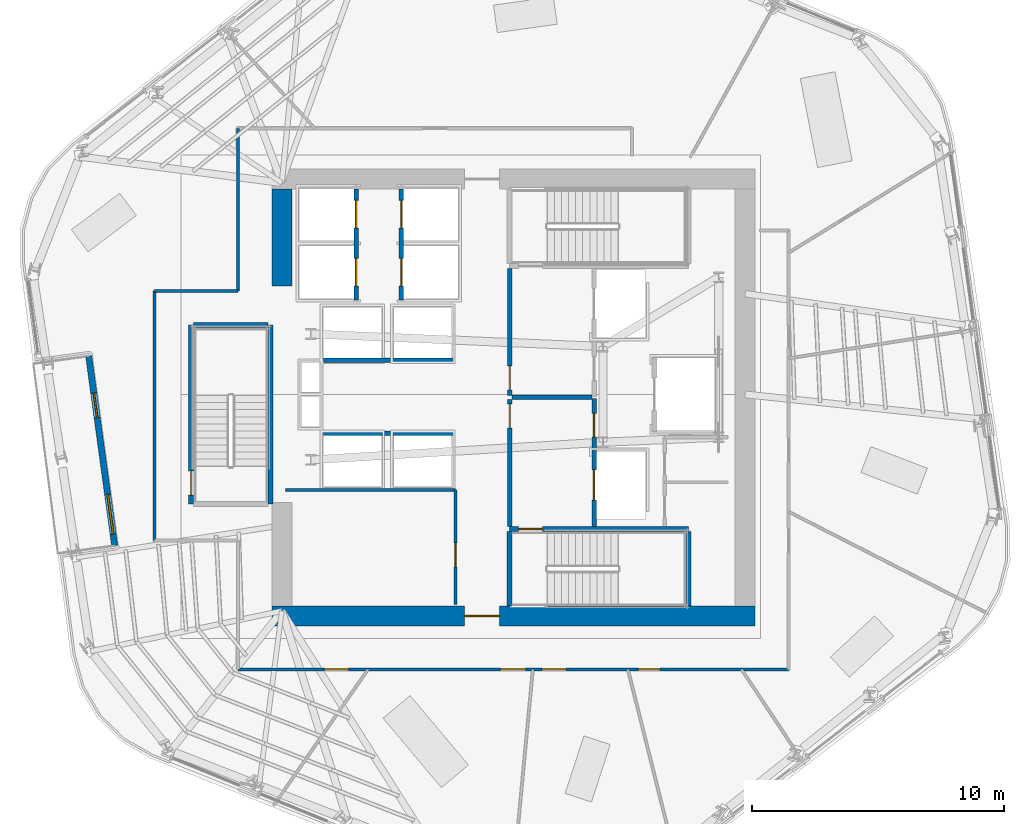
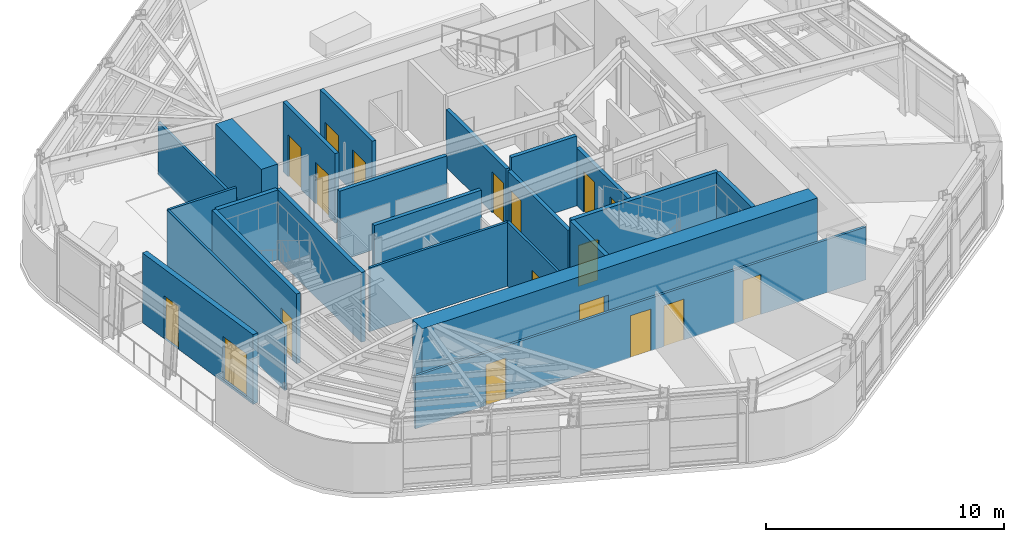
# One storey, part 8 of 15: 23 walls, 17 doors, 1 window, 18 openings.
"""IFC4 building model written with IfcOpenShell, lengths in metres."""

from ifc_helpers import new_model, si_unit, direction, frame, frame_2d, origin, place, context, subcontext, project, spatial, rectangle, extrude, material, layer, layer_set, type_object, element, fill, save


model = new_model("IFC4")

# Units and contexts
model_context = context("Model", 3, precision=1e-05, world=origin(), true_north=direction((0.0, 1.0)))
body_context = subcontext(model_context, "Body", "Model", "MODEL_VIEW")
ifc_project = project(units=[si_unit("LENGTHUNIT", "METRE"), si_unit("AREAUNIT", "SQUARE_METRE"), si_unit("VOLUMEUNIT", "CUBIC_METRE"), si_unit("PLANEANGLEUNIT", "RADIAN"), si_unit("MASSUNIT", "GRAM", prefix="KILO")], contexts=[model_context])

# Site, building, storey
site_placement = place(None, origin())
site = spatial("IfcSite", under=ifc_project, at=site_placement, CompositionType="ELEMENT")
building_placement = place(site_placement, origin())
building = spatial("IfcBuilding", under=site, at=building_placement, Name="Valkerne Bourse Tower", CompositionType="ELEMENT")
storey_placement = place(building_placement, frame((0.0, 0.0, 185.60009765625)))
storey = spatial("IfcBuildingStorey", under=building, at=storey_placement, Name="L47", CompositionType="ELEMENT", Elevation=185.60009765625)

# Wall, opening, door
ifc_material_1 = material(Name="Concrete C55/67", Category="concrete")
ifc_layer_1 = layer(ifc_material_1, 0.800048828125)
ifc_layer_set_1 = layer_set([ifc_layer_1], Name="Concrete C55/67")
wall_type_1 = type_object("IfcWallType", Name="W-CORE-800", PredefinedType="SHEAR", material=ifc_layer_set_1)
wall_1_placement = place(storey_placement, frame((37.199951171875, 18.199951171875, 0.0), z_axis=(0.0, 0.0, 1.0), x_axis=(1.0, 0.0, 0.0)))
wall_1 = element("IfcWall", 1, at=wall_1_placement, inside=storey, type_object=wall_type_1, Name="L47 Core Shear Wall SOUTH", PredefinedType="SHEAR", context=body_context, shape_type="SweptSolid", body=[
    extrude(rectangle(XDim=19.199951171875, YDim=0.800048828125, at=frame_2d((9.60009765625, 0.0))), origin(), (0.0, 0.0, 1.0), 3.579833984375),
])
opening_1_placement = place(wall_1_placement, frame((7.64990234375, 0.0, 0.0)))
opening_1 = element("IfcOpeningElement", 2, at=opening_1_placement, cuts=wall_1, Name="Opening D-PL-1400", PredefinedType="OPENING", context=body_context, shape_type="SweptSolid", body=[
    extrude(rectangle(XDim=1.39990234375, YDim=2.14990234375, at=frame_2d((0.699951171875, 1.074951171875))), frame((0.0, 0.409912109375, 0.0), z_axis=(0.0, -1.0, 0.0), x_axis=(1.0, 0.0, 0.0)), (0.0, 0.0, 1.0), 0.820068359375),
])
ifc_material_2 = material(Name="Galvanised Painted Steel", Category="steel")
door_type_1 = type_object("IfcDoorType", Name="DR-PLT-1400", OperationType="DOUBLE_DOOR_SINGLE_SWING", PredefinedType="DOOR", material=ifc_material_2)
door_1_placement = place(opening_1_placement, origin())
door_1 = element("IfcDoor", 3, at=door_1_placement, inside=storey, type_object=door_type_1, Name="L47 South Passenger Lift Hall Fire Door", OperationType="DOUBLE_DOOR_SINGLE_SWING", OverallHeight=2.14990234375, OverallWidth=1.39990234375, PredefinedType="DOOR", context=body_context, shape_type="SweptSolid", body=[
    extrude(rectangle(XDim=1.39990234375, YDim=2.14990234375, at=frame_2d((0.699951171875, 1.074951171875))), frame((0.0, 0.02490234375, 0.0), z_axis=(0.0, -1.0, 0.0), x_axis=(1.0, 0.0, 0.0)), (0.0, 0.0, 1.0), 0.050048828125),
])
fill(opening_1, door_1)

# Wall
wall_2_placement = place(storey_placement, frame((37.60009765625, 31.300048828125, 0.0), z_axis=(0.0, 0.0, 1.0), x_axis=(0.0, 1.0, 0.0)))
element("IfcWall", 4, at=wall_2_placement, inside=storey, type_object=wall_type_1, Name="L47 Core Shear Wall WEST-N", PredefinedType="SHEAR", context=body_context, shape_type="SweptSolid", body=[
    extrude(rectangle(XDim=3.849853515625, YDim=0.800048828125, at=frame_2d((1.9248046875, 0.0))), origin(), (0.0, 0.0, 1.0), 3.579833984375),
])

# Wall, opening, door
ifc_material_3 = material(Name="Gypsum Board Steel-Stud Partition", Category="steel")
ifc_layer_2 = layer(ifc_material_3, 0.117919921875)
ifc_layer_set_2 = layer_set([ifc_layer_2], Name="Gypsum Board Steel-Stud Partition")
wall_type_2 = type_object("IfcWallType", Name="W-CORR-140", PredefinedType="PARTITIONING", material=ifc_layer_set_2)
wall_3_placement = place(storey_placement, frame((44.5, 18.64990234375, 0.0), z_axis=(0.0, 0.0, 1.0), x_axis=(0.0, 1.0, 0.0)))
wall_3 = element("IfcWall", 5, at=wall_3_placement, inside=storey, type_object=wall_type_2, Name="L47 LV7 Low-Bank East Wall", PredefinedType="PARTITIONING", context=body_context, shape_type="SweptSolid", body=[
    extrude(rectangle(XDim=4.550048828125, YDim=0.117919921875, at=frame_2d((2.27490234375, 0.0))), origin(), (0.0, 0.0, 1.0), 3.27978515625),
])
opening_2_placement = place(wall_3_placement, frame((1.5, 0.0, 0.0)))
opening_2 = element("IfcOpeningElement", 6, at=opening_2_placement, cuts=wall_3, Name="Opening D-SV-950", PredefinedType="OPENING", context=body_context, shape_type="SweptSolid", body=[
    extrude(rectangle(XDim=0.949951171875, YDim=2.050048828125, at=frame_2d((0.47509765625, 1.02490234375))), frame((0.0, 0.06884765625, 0.0), z_axis=(0.0, -1.0, 0.0), x_axis=(1.0, 0.0, 0.0)), (0.0, 0.0, 1.0), 0.137939453125),
])
door_type_2 = type_object("IfcDoorType", Name="DR-SRV-950", OperationType="NOTDEFINED", PredefinedType="DOOR", material=ifc_material_2)
door_2_placement = place(opening_2_placement, origin())
door_2 = element("IfcDoor", 7, at=door_2_placement, inside=storey, type_object=door_type_2, Name="L47 Algorithmic Matching Office Door", OperationType="SINGLE_SWING_RIGHT", OverallHeight=2.050048828125, OverallWidth=0.949951171875, PredefinedType="DOOR", context=body_context, shape_type="SweptSolid", body=[
    extrude(rectangle(XDim=0.949951171875, YDim=2.050048828125, at=frame_2d((0.47509765625, 1.02490234375))), frame((0.0, 0.02490234375, 0.0), z_axis=(0.0, -1.0, 0.0), x_axis=(1.0, 0.0, 0.0)), (0.0, 0.0, 1.0), 0.050048828125),
])
fill(opening_2, door_2)

# Walls
wall_4_placement = place(storey_placement, frame((37.75, 23.199951171875, 0.0), z_axis=(0.0, 0.0, 1.0), x_axis=(1.0, 0.0, 0.0)))
element("IfcWall", 8, at=wall_4_placement, inside=storey, type_object=wall_type_2, Name="L47 LV7 Low-Bank North Wall", PredefinedType="PARTITIONING", context=body_context, shape_type="SweptSolid", body=[
    extrude(rectangle(XDim=6.75, YDim=0.117919921875, at=frame_2d((3.375, 0.0))), origin(), (0.0, 0.0, 1.0), 3.27978515625),
])
wall_5_placement = place(storey_placement, frame((32.550048828125, 21.199951171875, 0.0), z_axis=(0.0, 0.0, 1.0), x_axis=(0.0, 1.0, 0.0)))
element("IfcWall", 9, at=wall_5_placement, inside=storey, type_object=wall_type_2, Name="L47 Corridor Enclosure Wall", PredefinedType="PARTITIONING", context=body_context, shape_type="SweptSolid", body=[
    extrude(rectangle(XDim=9.900146484375, YDim=0.117919921875, at=frame_2d((4.9501953125, 0.0))), origin(), (0.0, 0.0, 1.0), 3.27978515625),
])
wall_6_placement = place(storey_placement, frame((32.550048828125, 31.10009765625, 0.0), z_axis=(0.0, 0.0, 1.0), x_axis=(1.0, 0.0, 0.0)))
element("IfcWall", 10, at=wall_6_placement, inside=storey, type_object=wall_type_2, Name="L47 Corridor Enclosure Wall", PredefinedType="PARTITIONING", context=body_context, shape_type="SweptSolid", body=[
    extrude(rectangle(XDim=3.300048828125, YDim=0.117919921875, at=frame_2d((1.64990234375, 0.0))), origin(), (0.0, 0.0, 1.0), 3.27978515625),
])
wall_7_placement = place(storey_placement, frame((35.85009765625, 31.10009765625, 0.0), z_axis=(0.0, 0.0, 1.0), x_axis=(0.0, 1.0, 0.0)))
element("IfcWall", 11, at=wall_7_placement, inside=storey, type_object=wall_type_2, Name="L47 Corridor Enclosure Wall", PredefinedType="PARTITIONING", context=body_context, shape_type="SweptSolid", body=[
    extrude(rectangle(XDim=6.4599609375, YDim=0.117919921875, at=frame_2d((3.22998046875, 0.0))), origin(), (0.0, 0.0, 1.0), 2.71142578125),
])

# Wall, openings, doors
wall_8_placement = place(storey_placement, frame((57.719970703125, 16.080078125, 0.0), z_axis=(0.0, 0.0, 1.0), x_axis=(-1.0, 0.0, 0.0)))
wall_8 = element("IfcWall", 12, at=wall_8_placement, inside=storey, type_object=wall_type_2, Name="L47 Corridor Enclosure Wall", PredefinedType="PARTITIONING", context=body_context, shape_type="SweptSolid", body=[
    extrude(rectangle(XDim=21.869873046875, YDim=0.117919921875, at=frame_2d((10.93505859375, 0.0))), origin(), (0.0, 0.0, 1.0), 2.71142578125),
])
opening_3_placement = place(wall_8_placement, frame((5.10498046875, 0.0, 0.0)))
opening_3 = element("IfcOpeningElement", 13, at=opening_3_placement, cuts=wall_8, Name="Opening D-WC-900", PredefinedType="OPENING", context=body_context, shape_type="SweptSolid", body=[
    extrude(rectangle(XDim=0.860107421875, YDim=2.050048828125, at=frame_2d((0.43017578125, 1.02490234375))), frame((0.0, 0.06884765625, 0.0), z_axis=(0.0, -1.0, 0.0), x_axis=(1.0, 0.0, 0.0)), (0.0, 0.0, 1.0), 0.137939453125),
])
opening_4_placement = place(wall_8_placement, frame((8.840087890625, 0.0, 0.0)))
opening_4 = element("IfcOpeningElement", 14, at=opening_4_placement, cuts=wall_8, Name="Opening D-OF-950", PredefinedType="OPENING", context=body_context, shape_type="SweptSolid", body=[
    extrude(rectangle(XDim=0.949951171875, YDim=2.10009765625, at=frame_2d((0.47509765625, 1.050048828125))), frame((0.0, 0.06884765625, 0.0), z_axis=(0.0, -1.0, 0.0), x_axis=(1.0, 0.0, 0.0)), (0.0, 0.0, 1.0), 0.137939453125),
])
opening_5_placement = place(wall_8_placement, frame((10.43505859375, 0.0, 0.0)))
opening_5 = element("IfcOpeningElement", 15, at=opening_5_placement, cuts=wall_8, Name="Opening D-MG-1000", PredefinedType="OPENING", context=body_context, shape_type="SweptSolid", body=[
    extrude(rectangle(XDim=1.0, YDim=2.14990234375, at=frame_2d((0.5, 1.074951171875))), frame((0.0, 0.06884765625, 0.0), z_axis=(0.0, -1.0, 0.0), x_axis=(1.0, 0.0, 0.0)), (0.0, 0.0, 1.0), 0.137939453125),
])
opening_6_placement = place(wall_8_placement, frame((17.47998046875, 0.0, 0.0)))
opening_6 = element("IfcOpeningElement", 16, at=opening_6_placement, cuts=wall_8, Name="Opening D-OF-950", PredefinedType="OPENING", context=body_context, shape_type="SweptSolid", body=[
    extrude(rectangle(XDim=0.949951171875, YDim=2.10009765625, at=frame_2d((0.47509765625, 1.050048828125))), frame((0.0, 0.06884765625, 0.0), z_axis=(0.0, -1.0, 0.0), x_axis=(1.0, 0.0, 0.0)), (0.0, 0.0, 1.0), 0.137939453125),
])
ifc_material_4 = material(Name="Laminated Tempered Safety Glass", Category="glass")
door_type_3 = type_object("IfcDoorType", Name="DR-MTG-1000", OperationType="NOTDEFINED", PredefinedType="DOOR", material=ifc_material_4)
door_3_placement = place(opening_5_placement, origin())
door_3 = element("IfcDoor", 17, at=door_3_placement, inside=storey, type_object=door_type_3, Name="L47 L47 Client Strategy Conference Room 6 Door", OperationType="SINGLE_SWING_LEFT", OverallHeight=2.14990234375, OverallWidth=1.0, PredefinedType="DOOR", context=body_context, shape_type="SweptSolid", body=[
    extrude(rectangle(XDim=1.0, YDim=2.14990234375, at=frame_2d((0.5, 1.074951171875))), frame((0.0, 0.02490234375, 0.0), z_axis=(0.0, -1.0, 0.0), x_axis=(1.0, 0.0, 0.0)), (0.0, 0.0, 1.0), 0.050048828125),
])
fill(opening_5, door_3)
ifc_material_5 = material(Name="Architectural White Oak Timber", Category="wood")
door_type_4 = type_object("IfcDoorType", Name="DR-OFF-950", OperationType="NOTDEFINED", PredefinedType="DOOR", material=ifc_material_5)
door_4_placement = place(opening_4_placement, origin())
door_4 = element("IfcDoor", 18, at=door_4_placement, inside=storey, type_object=door_type_4, Name="L47 L47 Executive Advisory Suite Office 4 Door", OperationType="SINGLE_SWING_LEFT", OverallHeight=2.10009765625, OverallWidth=0.949951171875, PredefinedType="DOOR", context=body_context, shape_type="SweptSolid", body=[
    extrude(rectangle(XDim=0.949951171875, YDim=2.10009765625, at=frame_2d((0.47509765625, 1.050048828125))), frame((0.0, 0.02490234375, 0.0), z_axis=(0.0, -1.0, 0.0), x_axis=(1.0, 0.0, 0.0)), (0.0, 0.0, 1.0), 0.050048828125),
])
fill(opening_4, door_4)
door_5_placement = place(opening_6_placement, origin())
door_5 = element("IfcDoor", 19, at=door_5_placement, inside=storey, type_object=door_type_4, Name="L47 L47 Commodities Market Showroom 9 Door", OperationType="SINGLE_SWING_LEFT", OverallHeight=2.10009765625, OverallWidth=0.949951171875, PredefinedType="DOOR", context=body_context, shape_type="SweptSolid", body=[
    extrude(rectangle(XDim=0.949951171875, YDim=2.10009765625, at=frame_2d((0.47509765625, 1.050048828125))), frame((0.0, 0.02490234375, 0.0), z_axis=(0.0, -1.0, 0.0), x_axis=(1.0, 0.0, 0.0)), (0.0, 0.0, 1.0), 0.050048828125),
])
fill(opening_6, door_5)
door_type_5 = type_object("IfcDoorType", Name="DR-WC-900", OperationType="NOTDEFINED", PredefinedType="DOOR", material=ifc_material_5)
door_6_placement = place(opening_3_placement, origin())
door_6 = element("IfcDoor", 20, at=door_6_placement, inside=storey, type_object=door_type_5, Name="L47 L47 Men Bathroom WC 1 Door", OperationType="SINGLE_SWING_RIGHT", OverallHeight=2.050048828125, OverallWidth=0.860107421875, PredefinedType="DOOR", context=body_context, shape_type="SweptSolid", body=[
    extrude(rectangle(XDim=0.860107421875, YDim=2.050048828125, at=frame_2d((0.43017578125, 1.02490234375))), frame((0.0, 0.02490234375, 0.0), z_axis=(0.0, -1.0, 0.0), x_axis=(1.0, 0.0, 0.0)), (0.0, 0.0, 1.0), 0.050048828125),
])
fill(opening_3, door_6)

# Wall, openings, door, window
ifc_material_6 = material(Name="Bronze Anodised Aluminium AA 6063-T6", Category="aluminium")
ifc_layer_3 = layer(ifc_material_6, 0.25)
ifc_layer_set_3 = layer_set([ifc_layer_3], Name="Bronze Anodised Aluminium AA 6063-T6")
wall_type_3 = type_object("IfcWallType", Name="W-EXT-TER-250", PredefinedType="STANDARD", material=ifc_layer_set_3)
wall_9_placement = place(storey_placement, frame((29.930908203125, 28.524658203125, 0.0), z_axis=(0.0, 0.0, 1.0), x_axis=(0.135725300593, -0.990746507831, 0.0)))
wall_9 = element("IfcWall", 21, at=wall_9_placement, inside=storey, type_object=wall_type_3, Name="L47 V-Notch Terrace Glazed Access Wall", PredefinedType="STANDARD", context=body_context, shape_type="SweptSolid", body=[
    extrude(rectangle(XDim=7.599853515625, YDim=0.25, at=frame_2d((3.7998046875, 0.0))), origin(), (0.0, 0.0, 1.0), 3.579833984375),
])
opening_7_placement = place(wall_9_placement, frame((1.47998046875, 0.0, 0.0)))
opening_7 = element("IfcOpeningElement", 22, at=opening_7_placement, cuts=wall_9, Name="Opening DT-1000", PredefinedType="OPENING", context=body_context, shape_type="SweptSolid", body=[
    extrude(rectangle(XDim=1.0, YDim=2.199951171875, at=frame_2d((0.5, 1.10009765625))), frame((0.0, 0.135009765625, 0.0), z_axis=(0.0, -1.0, 0.0), x_axis=(1.0, 0.0, 0.0)), (0.0, 0.0, 1.0), 0.27001953125),
])
opening_8_placement = place(wall_9_placement, frame((5.550048828125, 0.0, 0.14990234375)))
opening_8 = element("IfcOpeningElement", 23, at=opening_8_placement, cuts=wall_9, Name="Opening WN-04", PredefinedType="OPENING", context=body_context, shape_type="SweptSolid", body=[
    extrude(rectangle(XDim=1.60009765625, YDim=2.199951171875, at=frame_2d((0.800048828125, 1.10009765625))), frame((0.0, 0.135009765625, 0.0), z_axis=(0.0, -1.0, 0.0), x_axis=(1.0, 0.0, 0.0)), (0.0, 0.0, 1.0), 0.27001953125),
])
ifc_material_7 = material(Name="Glass IGU Low-E Double Glazed", Category="glass")
door_type_6 = type_object("IfcDoorType", Name="DR-EXT-TER-1000", OperationType="NOTDEFINED", PredefinedType="DOOR", material=ifc_material_7)
door_7_placement = place(opening_7_placement, origin())
door_7 = element("IfcDoor", 24, at=door_7_placement, inside=storey, type_object=door_type_6, Name="L47 V-Notch Outdoor Terrace Access Door", OperationType="SINGLE_SWING_RIGHT", OverallHeight=2.199951171875, OverallWidth=1.0, PredefinedType="DOOR", context=body_context, shape_type="SweptSolid", body=[
    extrude(rectangle(XDim=1.0, YDim=2.199951171875, at=frame_2d((0.5, 1.10009765625))), frame((0.0, 0.02490234375, 0.0), z_axis=(0.0, -1.0, 0.0), x_axis=(1.0, 0.0, 0.0)), (0.0, 0.0, 1.0), 0.050048828125),
])
fill(opening_7, door_7)
window_type = type_object("IfcWindowType", Name="WIN-TER-1600X2200", PartitioningType="SINGLE_PANEL", PredefinedType="WINDOW", material=ifc_material_7)
window_placement = place(opening_8_placement, origin())
window = element("IfcWindow", 25, at=window_placement, inside=storey, type_object=window_type, Name="L47 V-Notch Terrace Sidelight Window", OverallHeight=2.199951171875, OverallWidth=1.60009765625, PartitioningType="SINGLE_PANEL", PredefinedType="WINDOW", context=body_context, shape_type="SweptSolid", body=[
    extrude(rectangle(XDim=1.60009765625, YDim=2.199951171875, at=frame_2d((0.800048828125, 1.10009765625))), frame((0.0, 0.030029296875, 0.0), z_axis=(0.0, -1.0, 0.0), x_axis=(1.0, 0.0, 0.0)), (0.0, 0.0, 1.0), 0.06005859375),
])
fill(opening_8, window)

# Wall
ifc_material_8 = material(Name="Gypsum Fire-Rated Shaftwall", Category="gypsum")
ifc_layer_4 = layer(ifc_material_8, 0.179931640625)
ifc_layer_set_4 = layer_set([ifc_layer_4], Name="Gypsum Fire-Rated Shaftwall")
wall_type_4 = type_object("IfcWallType", Name="W-FSAE-180", PredefinedType="PARTITIONING", material=ifc_layer_set_4)
wall_10_placement = place(storey_placement, frame((46.739990234375, 26.8798828125, 0.0), z_axis=(0.0, 0.0, 1.0), x_axis=(1.0, 0.0, 0.0)))
element("IfcWall", 26, at=wall_10_placement, inside=storey, type_object=wall_type_4, Name="L47 FSAE-1/2 Lobby Dividing Fire Wall", PredefinedType="PARTITIONING", context=body_context, shape_type="SweptSolid", body=[
    extrude(rectangle(XDim=3.169921875, YDim=0.179931640625, at=frame_2d((1.5849609375, 0.0))), origin(), (0.0, 0.0, 1.0), 3.579833984375),
])

# Wall, opening, door
wall_11_placement = place(storey_placement, frame((46.64990234375, 21.75, 0.0), z_axis=(0.0, 0.0, 1.0), x_axis=(0.0, 1.0, 0.0)))
wall_11 = element("IfcWall", 27, at=wall_11_placement, inside=storey, type_object=wall_type_4, Name="L47 FSAE-1 Lobby West Fire Wall", PredefinedType="PARTITIONING", context=body_context, shape_type="SweptSolid", body=[
    extrude(rectangle(XDim=5.050048828125, YDim=0.179931640625, at=frame_2d((2.52490234375, 0.0))), origin(), (0.0, 0.0, 1.0), 2.9580078125),
])
opening_9_placement = place(wall_11_placement, frame((3.919921875, 0.0, 0.0)))
opening_9 = element("IfcOpeningElement", 28, at=opening_9_placement, cuts=wall_11, Name="Opening D-FS-950", PredefinedType="OPENING", context=body_context, shape_type="SweptSolid", body=[
    extrude(rectangle(XDim=0.949951171875, YDim=2.10009765625, at=frame_2d((0.47509765625, 1.050048828125))), frame((0.0, 0.099853515625, 0.0), z_axis=(0.0, -1.0, 0.0), x_axis=(1.0, 0.0, 0.0)), (0.0, 0.0, 1.0), 0.199951171875),
])
door_type_7 = type_object("IfcDoorType", Name="DR-FSAE-950", OperationType="NOTDEFINED", PredefinedType="DOOR", material=ifc_material_2)
door_8_placement = place(opening_9_placement, origin())
door_8 = element("IfcDoor", 29, at=door_8_placement, inside=storey, type_object=door_type_7, Name="L47 FSAE-1 Hall Link Fire Door", OperationType="SINGLE_SWING_LEFT", OverallHeight=2.10009765625, OverallWidth=0.949951171875, PredefinedType="DOOR", context=body_context, shape_type="SweptSolid", body=[
    extrude(rectangle(XDim=0.949951171875, YDim=2.10009765625, at=frame_2d((0.47509765625, 1.050048828125))), frame((0.0, 0.02490234375, 0.0), z_axis=(0.0, -1.0, 0.0), x_axis=(1.0, 0.0, 0.0)), (0.0, 0.0, 1.0), 0.050048828125),
])
fill(opening_9, door_8)

wall_12_placement = place(storey_placement, frame((46.64990234375, 26.9599609375, 0.0), z_axis=(0.0, 0.0, 1.0), x_axis=(0.0, 1.0, 0.0)))
wall_12 = element("IfcWall", 30, at=wall_12_placement, inside=storey, type_object=wall_type_4, Name="L47 FSAE-2 Lobby West Fire Wall", PredefinedType="PARTITIONING", context=body_context, shape_type="SweptSolid", body=[
    extrude(rectangle(XDim=5.0400390625, YDim=0.179931640625, at=frame_2d((2.52001953125, 0.0))), origin(), (0.0, 0.0, 1.0), 2.9580078125),
])
opening_10_placement = place(wall_12_placement, frame((0.219970703125, 0.0, 0.0)))
opening_10 = element("IfcOpeningElement", 31, at=opening_10_placement, cuts=wall_12, Name="Opening D-FS-950", PredefinedType="OPENING", context=body_context, shape_type="SweptSolid", body=[
    extrude(rectangle(XDim=0.949951171875, YDim=2.10009765625, at=frame_2d((0.47509765625, 1.050048828125))), frame((0.0, 0.099853515625, 0.0), z_axis=(0.0, -1.0, 0.0), x_axis=(1.0, 0.0, 0.0)), (0.0, 0.0, 1.0), 0.199951171875),
])
door_9_placement = place(opening_10_placement, origin())
door_9 = element("IfcDoor", 32, at=door_9_placement, inside=storey, type_object=door_type_7, Name="L47 FSAE-2 Hall Link Fire Door", OperationType="SINGLE_SWING_RIGHT", OverallHeight=2.10009765625, OverallWidth=0.949951171875, PredefinedType="DOOR", context=body_context, shape_type="SweptSolid", body=[
    extrude(rectangle(XDim=0.949951171875, YDim=2.10009765625, at=frame_2d((0.47509765625, 1.050048828125))), frame((0.0, 0.02490234375, 0.0), z_axis=(0.0, -1.0, 0.0), x_axis=(1.0, 0.0, 0.0)), (0.0, 0.0, 1.0), 0.050048828125),
])
fill(opening_10, door_9)

# Wall, openings, doors
wall_13_placement = place(storey_placement, frame((50.0, 21.75, 0.0), z_axis=(0.0, 0.0, 1.0), x_axis=(0.0, 1.0, 0.0)))
wall_13 = element("IfcWall", 33, at=wall_13_placement, inside=storey, type_object=wall_type_4, Name="L47 FSAE-1 Lobby & Shaft Front Wall", PredefinedType="PARTITIONING", context=body_context, shape_type="SweptSolid", body=[
    extrude(rectangle(XDim=5.090087890625, YDim=0.179931640625, at=frame_2d((2.544921875, 0.0))), origin(), (0.0, 0.0, 1.0), 2.9580078125),
])
opening_11_placement = place(wall_13_placement, frame((1.050048828125, 0.0, 0.0)))
opening_11 = element("IfcOpeningElement", 34, at=opening_11_placement, cuts=wall_13, Name="Opening LD-1200", PredefinedType="OPENING", context=body_context, shape_type="SweptSolid", body=[
    extrude(rectangle(XDim=1.199951171875, YDim=2.14990234375, at=frame_2d((0.60009765625, 1.074951171875))), frame((0.0, 0.099853515625, 0.0), z_axis=(0.0, -1.0, 0.0), x_axis=(1.0, 0.0, 0.0)), (0.0, 0.0, 1.0), 0.199951171875),
])
opening_12_placement = place(wall_13_placement, frame((3.550048828125, 0.0, 0.0)))
opening_12 = element("IfcOpeningElement", 35, at=opening_12_placement, cuts=wall_13, Name="Opening D-FS-950", PredefinedType="OPENING", context=body_context, shape_type="SweptSolid", body=[
    extrude(rectangle(XDim=0.949951171875, YDim=2.10009765625, at=frame_2d((0.47509765625, 1.050048828125))), frame((0.0, 0.099853515625, 0.0), z_axis=(0.0, -1.0, 0.0), x_axis=(1.0, 0.0, 0.0)), (0.0, 0.0, 1.0), 0.199951171875),
])
door_10_placement = place(opening_12_placement, origin())
door_10 = element("IfcDoor", 36, at=door_10_placement, inside=storey, type_object=door_type_7, Name="L47 FSAE-1 Lobby Corridor Fire Door", OperationType="SINGLE_SWING_RIGHT", OverallHeight=2.10009765625, OverallWidth=0.949951171875, PredefinedType="DOOR", context=body_context, shape_type="SweptSolid", body=[
    extrude(rectangle(XDim=0.949951171875, YDim=2.10009765625, at=frame_2d((0.47509765625, 1.050048828125))), frame((0.0, 0.02490234375, 0.0), z_axis=(0.0, -1.0, 0.0), x_axis=(1.0, 0.0, 0.0)), (0.0, 0.0, 1.0), 0.050048828125),
])
fill(opening_12, door_10)
ifc_material_9 = material(Name="Stainless Steel AISI 316", Category="steel")
door_type_8 = type_object("IfcDoorType", Name="DR-LIFT-1200", OperationType="DOUBLE_DOOR_SLIDING", PredefinedType="DOOR", material=ifc_material_9)
door_11_placement = place(opening_11_placement, origin())
door_11 = element("IfcDoor", 37, at=door_11_placement, inside=storey, type_object=door_type_8, Name="L47 FSAE-1 Firefighting Lift Landing Door", OperationType="DOUBLE_DOOR_SLIDING", OverallHeight=2.14990234375, OverallWidth=1.199951171875, PredefinedType="DOOR", context=body_context, shape_type="SweptSolid", body=[
    extrude(rectangle(XDim=1.199951171875, YDim=2.14990234375, at=frame_2d((0.60009765625, 1.074951171875))), frame((0.0, 0.02490234375, 0.0), z_axis=(0.0, -1.0, 0.0), x_axis=(1.0, 0.0, 0.0)), (0.0, 0.0, 1.0), 0.050048828125),
])
fill(opening_11, door_11)

ifc_material_10 = material(Name="CMU Blockwork Masonry 200mm", Category="masonry")
ifc_layer_5 = layer(ifc_material_10, 0.179931640625)
ifc_layer_set_5 = layer_set([ifc_layer_5], Name="CMU Blockwork Masonry 200mm")
wall_type_5 = type_object("IfcWallType", Name="W-LFT-180", PredefinedType="SOLIDWALL", material=ifc_layer_set_5)
wall_14_placement = place(storey_placement, frame((40.550048828125, 30.75, 0.0), z_axis=(0.0, 0.0, 1.0), x_axis=(0.0, 1.0, 0.0)))
wall_14 = element("IfcWall", 38, at=wall_14_placement, inside=storey, type_object=wall_type_5, Name="L47 Mid-Zone West Cars Front Wall", PredefinedType="SOLIDWALL", context=body_context, shape_type="SweptSolid", body=[
    extrude(rectangle(XDim=4.39990234375, YDim=0.179931640625, at=frame_2d((2.199951171875, 0.0))), origin(), (0.0, 0.0, 1.0), 3.579833984375),
])
opening_13_placement = place(wall_14_placement, frame((0.550048828125, 0.0, 0.0)))
opening_13 = element("IfcOpeningElement", 39, at=opening_13_placement, cuts=wall_14, Name="Opening LD-1100", PredefinedType="OPENING", context=body_context, shape_type="SweptSolid", body=[
    extrude(rectangle(XDim=1.10009765625, YDim=2.14990234375, at=frame_2d((0.550048828125, 1.074951171875))), frame((0.0, 0.099853515625, 0.0), z_axis=(0.0, -1.0, 0.0), x_axis=(1.0, 0.0, 0.0)), (0.0, 0.0, 1.0), 0.199951171875),
])
opening_14_placement = place(wall_14_placement, frame((2.85009765625, 0.0, 0.0)))
opening_14 = element("IfcOpeningElement", 40, at=opening_14_placement, cuts=wall_14, Name="Opening LD-1100", PredefinedType="OPENING", context=body_context, shape_type="SweptSolid", body=[
    extrude(rectangle(XDim=1.10009765625, YDim=2.14990234375, at=frame_2d((0.550048828125, 1.074951171875))), frame((0.0, 0.099853515625, 0.0), z_axis=(0.0, -1.0, 0.0), x_axis=(1.0, 0.0, 0.0)), (0.0, 0.0, 1.0), 0.199951171875),
])
door_type_9 = type_object("IfcDoorType", Name="DR-LIFT-1100", OperationType="DOUBLE_DOOR_SLIDING", PredefinedType="DOOR", material=ifc_material_9)
door_12_placement = place(opening_13_placement, origin())
door_12 = element("IfcDoor", 41, at=door_12_placement, inside=storey, type_object=door_type_9, Name="L47 Passenger Lift PL-M1 Sliding Landing Door", OperationType="DOUBLE_DOOR_SLIDING", OverallHeight=2.14990234375, OverallWidth=1.10009765625, PredefinedType="DOOR", context=body_context, shape_type="SweptSolid", body=[
    extrude(rectangle(XDim=1.10009765625, YDim=2.14990234375, at=frame_2d((0.550048828125, 1.074951171875))), frame((0.0, 0.02490234375, 0.0), z_axis=(0.0, -1.0, 0.0), x_axis=(1.0, 0.0, 0.0)), (0.0, 0.0, 1.0), 0.050048828125),
])
fill(opening_13, door_12)
door_13_placement = place(opening_14_placement, origin())
door_13 = element("IfcDoor", 42, at=door_13_placement, inside=storey, type_object=door_type_9, Name="L47 Passenger Lift PL-M2 Sliding Landing Door", OperationType="DOUBLE_DOOR_SLIDING", OverallHeight=2.14990234375, OverallWidth=1.10009765625, PredefinedType="DOOR", context=body_context, shape_type="SweptSolid", body=[
    extrude(rectangle(XDim=1.10009765625, YDim=2.14990234375, at=frame_2d((0.550048828125, 1.074951171875))), frame((0.0, 0.02490234375, 0.0), z_axis=(0.0, -1.0, 0.0), x_axis=(1.0, 0.0, 0.0)), (0.0, 0.0, 1.0), 0.050048828125),
])
fill(opening_14, door_13)

wall_15_placement = place(storey_placement, frame((42.35009765625, 30.75, 0.0), z_axis=(0.0, 0.0, 1.0), x_axis=(0.0, 1.0, 0.0)))
wall_15 = element("IfcWall", 43, at=wall_15_placement, inside=storey, type_object=wall_type_5, Name="L47 Mid-Zone East Cars Front Wall", PredefinedType="SOLIDWALL", context=body_context, shape_type="SweptSolid", body=[
    extrude(rectangle(XDim=4.39990234375, YDim=0.179931640625, at=frame_2d((2.199951171875, 0.0))), origin(), (0.0, 0.0, 1.0), 3.579833984375),
])
opening_15_placement = place(wall_15_placement, frame((0.550048828125, 0.0, 0.0)))
opening_15 = element("IfcOpeningElement", 44, at=opening_15_placement, cuts=wall_15, Name="Opening LD-1100", PredefinedType="OPENING", context=body_context, shape_type="SweptSolid", body=[
    extrude(rectangle(XDim=1.10009765625, YDim=2.14990234375, at=frame_2d((0.550048828125, 1.074951171875))), frame((0.0, 0.099853515625, 0.0), z_axis=(0.0, -1.0, 0.0), x_axis=(1.0, 0.0, 0.0)), (0.0, 0.0, 1.0), 0.199951171875),
])
opening_16_placement = place(wall_15_placement, frame((2.85009765625, 0.0, 0.0)))
opening_16 = element("IfcOpeningElement", 45, at=opening_16_placement, cuts=wall_15, Name="Opening LD-1100", PredefinedType="OPENING", context=body_context, shape_type="SweptSolid", body=[
    extrude(rectangle(XDim=1.10009765625, YDim=2.14990234375, at=frame_2d((0.550048828125, 1.074951171875))), frame((0.0, 0.099853515625, 0.0), z_axis=(0.0, -1.0, 0.0), x_axis=(1.0, 0.0, 0.0)), (0.0, 0.0, 1.0), 0.199951171875),
])
door_14_placement = place(opening_15_placement, origin())
door_14 = element("IfcDoor", 46, at=door_14_placement, inside=storey, type_object=door_type_9, Name="L47 Passenger Lift PL-M3 Sliding Landing Door", OperationType="DOUBLE_DOOR_SLIDING", OverallHeight=2.14990234375, OverallWidth=1.10009765625, PredefinedType="DOOR", context=body_context, shape_type="SweptSolid", body=[
    extrude(rectangle(XDim=1.10009765625, YDim=2.14990234375, at=frame_2d((0.550048828125, 1.074951171875))), frame((0.0, 0.02490234375, 0.0), z_axis=(0.0, -1.0, 0.0), x_axis=(1.0, 0.0, 0.0)), (0.0, 0.0, 1.0), 0.050048828125),
])
fill(opening_15, door_14)
door_15_placement = place(opening_16_placement, origin())
door_15 = element("IfcDoor", 47, at=door_15_placement, inside=storey, type_object=door_type_9, Name="L47 Passenger Lift PL-M4 Sliding Landing Door", OperationType="DOUBLE_DOOR_SLIDING", OverallHeight=2.14990234375, OverallWidth=1.10009765625, PredefinedType="DOOR", context=body_context, shape_type="SweptSolid", body=[
    extrude(rectangle(XDim=1.10009765625, YDim=2.14990234375, at=frame_2d((0.550048828125, 1.074951171875))), frame((0.0, 0.02490234375, 0.0), z_axis=(0.0, -1.0, 0.0), x_axis=(1.0, 0.0, 0.0)), (0.0, 0.0, 1.0), 0.050048828125),
])
fill(opening_16, door_15)

# Walls
for number, where, z_axis, x_axis, name in (
    (48, (39.25, 25.449951171875, 0.0), (0.0, 0.0, 1.0), (1.0, 0.0, 0.0), "L47 High-Zone South Cars Front Wall"),
    (49, (39.25, 28.35009765625, 0.0), (0.0, 0.0, 1.0), (1.0, 0.0, 0.0), "L47 High-Zone North Cars Front Wall"),
):
    element("IfcWall", number, at=place(storey_placement, frame(where, z_axis=z_axis, x_axis=x_axis)), inside=storey, type_object=wall_type_5, Name=name, PredefinedType="SOLIDWALL", context=body_context, shape_type="SweptSolid", body=[
        extrude(rectangle(XDim=5.199951171875, YDim=0.179931640625, at=frame_2d((2.60009765625, 0.0))), origin(), (0.0, 0.0, 1.0), 3.579833984375),
    ])

# Wall, opening, door
ifc_material_11 = material(Name="Concrete C40/50", Category="concrete")
ifc_layer_6 = layer(ifc_material_11, 0.199951171875)
ifc_layer_set_6 = layer_set([ifc_layer_6], Name="Concrete C40/50")
wall_type_6 = type_object("IfcWallType", Name="W-SHF-200", PredefinedType="SHEAR", material=ifc_layer_set_6)
wall_16_placement = place(storey_placement, frame((46.64990234375, 21.64990234375, 0.0), z_axis=(0.0, 0.0, 1.0), x_axis=(1.0, 0.0, 0.0)))
wall_16 = element("IfcWall", 50, at=wall_16_placement, inside=storey, type_object=wall_type_6, Name="L47 Exit Stair ST-1 Structural Shaft Wall North", PredefinedType="SHEAR", context=body_context, shape_type="SweptSolid", body=[
    extrude(rectangle(XDim=7.10009765625, YDim=0.199951171875, at=frame_2d((3.550048828125, 0.0))), origin(), (0.0, 0.0, 1.0), 3.579833984375),
])
opening_17_placement = place(wall_16_placement, frame((0.35009765625, 0.0, 0.0)))
opening_17 = element("IfcOpeningElement", 51, at=opening_17_placement, cuts=wall_16, Name="Opening D-ST-950", PredefinedType="OPENING", context=body_context, shape_type="SweptSolid", body=[
    extrude(rectangle(XDim=0.949951171875, YDim=2.10009765625, at=frame_2d((0.47509765625, 1.050048828125))), frame((0.0, 0.10986328125, 0.0), z_axis=(0.0, -1.0, 0.0), x_axis=(1.0, 0.0, 0.0)), (0.0, 0.0, 1.0), 0.219970703125),
])
door_type_10 = type_object("IfcDoorType", Name="DR-STAIR-950", OperationType="NOTDEFINED", PredefinedType="DOOR", material=ifc_material_2)
door_16_placement = place(opening_17_placement, origin())
door_16 = element("IfcDoor", 52, at=door_16_placement, inside=storey, type_object=door_type_10, Name="L47 Exit Stair ST-1 Door", OperationType="SINGLE_SWING_LEFT", OverallHeight=2.10009765625, OverallWidth=0.949951171875, PredefinedType="DOOR", context=body_context, shape_type="SweptSolid", body=[
    extrude(rectangle(XDim=0.949951171875, YDim=2.10009765625, at=frame_2d((0.47509765625, 1.050048828125))), frame((0.0, 0.02490234375, 0.0), z_axis=(0.0, -1.0, 0.0), x_axis=(1.0, 0.0, 0.0)), (0.0, 0.0, 1.0), 0.050048828125),
])
fill(opening_17, door_16)

# Walls
for number, where, z_axis, x_axis, name in (
    (53, (46.64990234375, 18.60009765625, 0.0), (0.0, 0.0, 1.0), (0.0, 1.0, 0.0), "L47 Exit Stair ST-1 Structural Shaft Wall West"),
    (54, (53.75, 18.60009765625, 0.0), (0.0, 0.0, 1.0), (0.0, 1.0, 0.0), "L47 Exit Stair ST-1 Structural Shaft Wall East"),
):
    element("IfcWall", number, at=place(storey_placement, frame(where, z_axis=z_axis, x_axis=x_axis)), inside=storey, type_object=wall_type_6, Name=name, PredefinedType="SHEAR", context=body_context, shape_type="SweptSolid", body=[
        extrude(rectangle(XDim=2.949951171875, YDim=0.199951171875, at=frame_2d((1.47509765625, 0.0))), origin(), (0.0, 0.0, 1.0), 3.579833984375),
    ])

# Wall, opening, door
wall_17_placement = place(storey_placement, frame((34.0, 22.64990234375, 0.0), z_axis=(0.0, 0.0, 1.0), x_axis=(0.0, 1.0, 0.0)))
wall_17 = element("IfcWall", 55, at=wall_17_placement, inside=storey, type_object=wall_type_6, Name="L47 Exit Stair ST-3 Structural Shaft Wall West", PredefinedType="SHEAR", context=body_context, shape_type="SweptSolid", body=[
    extrude(rectangle(XDim=7.10009765625, YDim=0.199951171875, at=frame_2d((3.550048828125, 0.0))), origin(), (0.0, 0.0, 1.0), 3.579833984375),
])
opening_18_placement = place(wall_17_placement, frame((0.35009765625, 0.0, 0.0)))
opening_18 = element("IfcOpeningElement", 56, at=opening_18_placement, cuts=wall_17, Name="Opening D-ST-950", PredefinedType="OPENING", context=body_context, shape_type="SweptSolid", body=[
    extrude(rectangle(XDim=0.949951171875, YDim=2.10009765625, at=frame_2d((0.47509765625, 1.050048828125))), frame((0.0, 0.10986328125, 0.0), z_axis=(0.0, -1.0, 0.0), x_axis=(1.0, 0.0, 0.0)), (0.0, 0.0, 1.0), 0.219970703125),
])
door_17_placement = place(opening_18_placement, origin())
door_17 = element("IfcDoor", 57, at=door_17_placement, inside=storey, type_object=door_type_10, Name="L47 Exit Stair ST-3 Door", OperationType="SINGLE_SWING_LEFT", OverallHeight=2.10009765625, OverallWidth=0.949951171875, PredefinedType="DOOR", context=body_context, shape_type="SweptSolid", body=[
    extrude(rectangle(XDim=0.949951171875, YDim=2.10009765625, at=frame_2d((0.47509765625, 1.050048828125))), frame((0.0, 0.02490234375, 0.0), z_axis=(0.0, -1.0, 0.0), x_axis=(1.0, 0.0, 0.0)), (0.0, 0.0, 1.0), 0.050048828125),
])
fill(opening_18, door_17)

# Walls
wall_18_placement = place(storey_placement, frame((34.10009765625, 29.75, 0.0), z_axis=(0.0, 0.0, 1.0), x_axis=(1.0, 0.0, 0.0)))
element("IfcWall", 58, at=wall_18_placement, inside=storey, type_object=wall_type_6, Name="L47 Exit Stair ST-3 Structural Shaft Wall North", PredefinedType="SHEAR", context=body_context, shape_type="SweptSolid", body=[
    extrude(rectangle(XDim=2.949951171875, YDim=0.199951171875, at=frame_2d((1.47509765625, 0.0))), origin(), (0.0, 0.0, 1.0), 3.579833984375),
])
wall_19_placement = place(storey_placement, frame((37.14990234375, 22.64990234375, 0.0), z_axis=(0.0, 0.0, 1.0), x_axis=(0.0, 1.0, 0.0)))
element("IfcWall", 59, at=wall_19_placement, inside=storey, type_object=wall_type_6, Name="L47 Exit Stair ST-3 Structural Shaft Wall East", PredefinedType="SHEAR", context=body_context, shape_type="SweptSolid", body=[
    extrude(rectangle(XDim=7.10009765625, YDim=0.199951171875, at=frame_2d((3.550048828125, 0.0))), origin(), (0.0, 0.0, 1.0), 3.579833984375),
])

save(model, "model.ifc")
